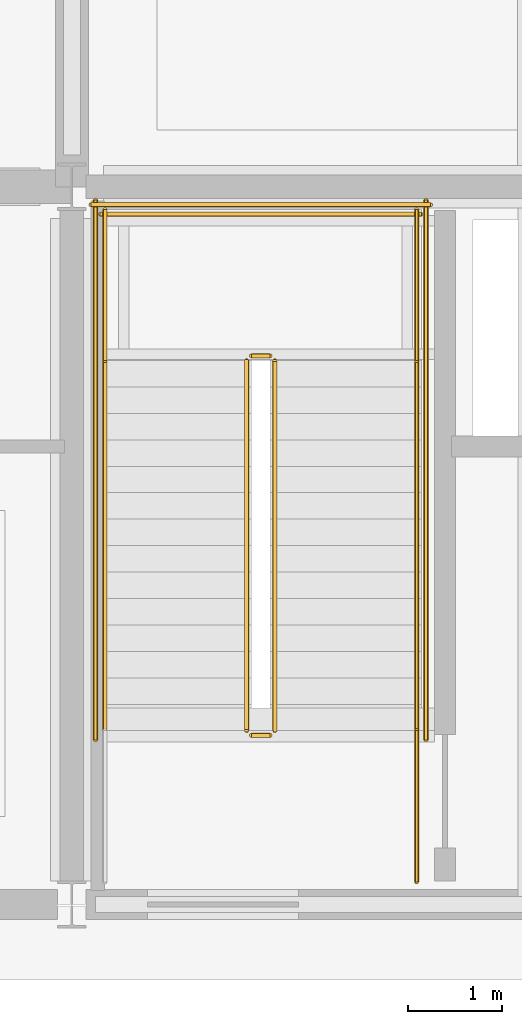
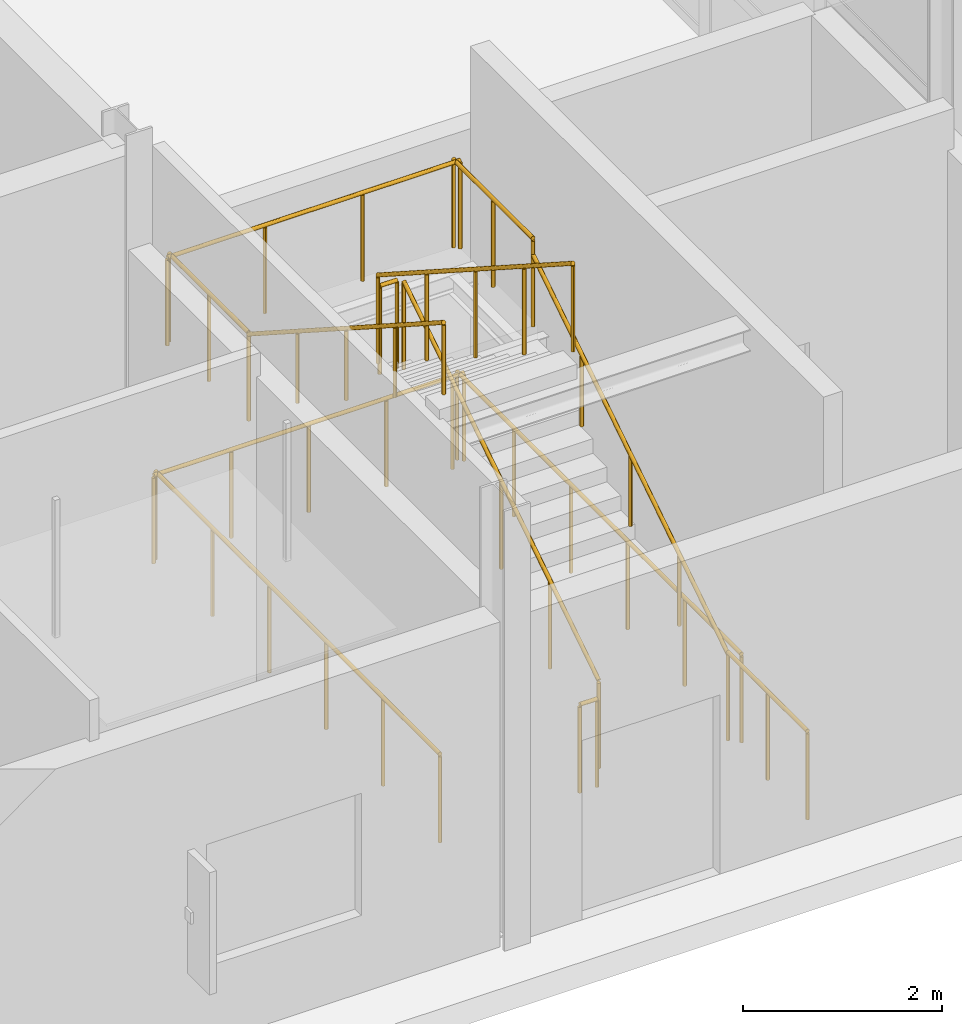
# One storey, part 110 of 126: 13 railings.
"""IFC4 building model written with IfcOpenShell, lengths in metres."""

from ifc_helpers import new_model, si_unit, direction, frame, origin, origin_2d, place, context, subcontext, project, spatial, circle, extrude, material, type_object, element, save


model = new_model("IFC4")

# Units and contexts
model_context = context("Model", 3, precision=1e-05, world=origin(), true_north=direction((0.0, 1.0)))
body_context = subcontext(model_context, "Body", "Model", "MODEL_VIEW")
ifc_project = project(units=[si_unit("LENGTHUNIT", "METRE"), si_unit("AREAUNIT", "SQUARE_METRE"), si_unit("VOLUMEUNIT", "CUBIC_METRE"), si_unit("PLANEANGLEUNIT", "RADIAN"), si_unit("MASSUNIT", "GRAM", prefix="KILO")], contexts=[model_context])

# Site, building, storey
site_placement = place(None, origin())
site = spatial("IfcSite", under=ifc_project, at=site_placement, CompositionType="ELEMENT")
building_placement = place(site_placement, origin())
building = spatial("IfcBuilding", under=site, at=building_placement, Name="Khelvaren Railside Concert Hall", CompositionType="ELEMENT")
storey_placement = place(building_placement, origin())
storey = spatial("IfcBuildingStorey", under=building, at=storey_placement, Name="L00", CompositionType="ELEMENT", Elevation=0.0)

# Railings
ifc_material_1 = material(Name="Painted architectural steel", Category="steel")
railing_type_1 = type_object("IfcRailingType", Name="GRD86", PredefinedType="GUARDRAIL", material=ifc_material_1)
railing_1_placement = place(storey_placement, frame((42.14990234375, 1.840087890625, 0.179931640625)))
element("IfcRailing", 1, at=railing_1_placement, inside=storey, type_object=railing_type_1, Name="L00 ST-02 stair guard 1", PredefinedType="GUARDRAIL", context=body_context, shape_type="SweptSolid", body=[
    extrude(circle(Radius=0.02392578125, at=origin_2d()), frame((0.0, 0.0, 1.076171875), z_axis=(0.0, 0.841171666519, 0.540768182723), x_axis=(-1.0, 0.0, 0.0)), (0.0, 0.0, 1.0), 4.66015625),
    extrude(circle(Radius=0.02099609375, at=origin_2d()), origin(), (0.0, 0.0, 1.0), 1.052001953125),
    extrude(circle(Radius=0.02099609375, at=origin_2d()), frame((0.0, 0.97998046875, 0.6298828125)), (0.0, 0.0, 1.0), 1.052001953125),
    extrude(circle(Radius=0.02099609375, at=origin_2d()), frame((0.0, 1.9599609375, 1.260009765625)), (0.0, 0.0, 1.0), 1.052001953125),
    extrude(circle(Radius=0.02099609375, at=origin_2d()), frame((0.0, 2.93994140625, 1.89013671875)), (0.0, 0.0, 1.0), 1.052001953125),
    extrude(circle(Radius=0.02099609375, at=origin_2d()), frame((0.0, 3.919921875, 2.52001953125)), (0.0, 0.0, 1.0), 1.052001953125),
])
railing_2_placement = place(storey_placement, frame((42.10009765625, 5.81005859375, 2.699951171875)))
element("IfcRailing", 2, at=railing_2_placement, inside=storey, type_object=railing_type_1, Name="L00 ST-02 stair guard 2", PredefinedType="GUARDRAIL", context=body_context, shape_type="SweptSolid", body=[
    extrude(circle(Radius=0.02392578125, at=origin_2d()), frame((0.0, 0.0, 1.076171875), z_axis=(-1.0, 0.0, 0.0), x_axis=(0.0, -1.0, 0.0)), (0.0, 0.0, 1.0), 0.2001953125),
    extrude(circle(Radius=0.02099609375, at=origin_2d()), origin(), (0.0, 0.0, 1.0), 1.052001953125),
    extrude(circle(Radius=0.02099609375, at=origin_2d()), frame((-0.2001953125, 0.0, 0.0)), (0.0, 0.0, 1.0), 1.052001953125),
])
for number, where, name in (
    (3, (43.64990234375, 5.760009765625, 2.699951171875), "L00 ST-02 stair guard 3"),
    (4, (40.35009765625, 5.760009765625, 2.699951171875), "L00 ST-02 stair guard 4"),
):
    element("IfcRailing", number, at=place(storey_placement, frame(where)), inside=storey, type_object=railing_type_1, Name=name, PredefinedType="GUARDRAIL", context=body_context, shape_type="SweptSolid", body=[
        extrude(circle(Radius=0.02392578125, at=origin_2d()), frame((0.0, 0.0, 1.076171875), z_axis=(0.0, 1.0, 0.0), x_axis=(-1.0, 0.0, 0.0)), (0.0, 0.0, 1.0), 1.60009765625),
        extrude(circle(Radius=0.02099609375, at=origin_2d()), origin(), (0.0, 0.0, 1.0), 1.052001953125),
        extrude(circle(Radius=0.02099609375, at=origin_2d()), frame((0.0, 0.800048828125, 0.0)), (0.0, 0.0, 1.0), 1.052001953125),
        extrude(circle(Radius=0.02099609375, at=origin_2d()), frame((0.0, 1.60009765625, 0.0)), (0.0, 0.0, 1.0), 1.052001953125),
    ])
railing_3_placement = place(storey_placement, frame((43.699951171875, 7.31005859375, 2.699951171875)))
element("IfcRailing", 5, at=railing_3_placement, inside=storey, type_object=railing_type_1, Name="L00 ST-02 stair guard 5", PredefinedType="GUARDRAIL", context=body_context, shape_type="SweptSolid", body=[
    extrude(circle(Radius=0.02392578125, at=origin_2d()), frame((0.0, 0.0, 1.076171875), z_axis=(-1.0, 0.0, 0.0), x_axis=(0.0, -1.0, 0.0)), (0.0, 0.0, 1.0), 3.39990234375),
    extrude(circle(Radius=0.02099609375, at=origin_2d()), origin(), (0.0, 0.0, 1.0), 1.052001953125),
    extrude(circle(Radius=0.02099609375, at=origin_2d()), frame((-1.13330078125, 0.0, 0.0)), (0.0, 0.0, 1.0), 1.052001953125),
    extrude(circle(Radius=0.02099609375, at=origin_2d()), frame((-2.2666015625, 0.0, 0.0)), (0.0, 0.0, 1.0), 1.052001953125),
    extrude(circle(Radius=0.02099609375, at=origin_2d()), frame((-3.39990234375, 0.0, 0.0)), (0.0, 0.0, 1.0), 1.052001953125),
])
railing_4_placement = place(storey_placement, frame((41.85009765625, 5.760009765625, 2.8798828125)))
element("IfcRailing", 6, at=railing_4_placement, inside=storey, type_object=railing_type_1, Name="L00 ST-02 stair guard 6", PredefinedType="GUARDRAIL", context=body_context, shape_type="SweptSolid", body=[
    extrude(circle(Radius=0.02392578125, at=origin_2d()), frame((0.0, 0.0, 1.076171875), z_axis=(0.0, -0.841171666519, 0.540768182723), x_axis=(1.0, 0.0, 0.0)), (0.0, 0.0, 1.0), 4.66015625),
    extrude(circle(Radius=0.02099609375, at=origin_2d()), origin(), (0.0, 0.0, 1.0), 1.052001953125),
    extrude(circle(Radius=0.02099609375, at=origin_2d()), frame((0.0, -0.97998046875, 0.6298828125)), (0.0, 0.0, 1.0), 1.052001953125),
    extrude(circle(Radius=0.02099609375, at=origin_2d()), frame((0.0, -1.9599609375, 1.260009765625)), (0.0, 0.0, 1.0), 1.052001953125),
    extrude(circle(Radius=0.02099609375, at=origin_2d()), frame((0.0, -2.93994140625, 1.89013671875)), (0.0, 0.0, 1.0), 1.052001953125),
    extrude(circle(Radius=0.02099609375, at=origin_2d()), frame((0.0, -3.919921875, 2.52001953125)), (0.0, 0.0, 1.0), 1.052001953125),
])
railing_5_placement = place(storey_placement, frame((42.10009765625, 1.7900390625, 0.0)))
element("IfcRailing", 7, at=railing_5_placement, inside=storey, type_object=railing_type_1, Name="L00 ST-02 stair guard 7", PredefinedType="GUARDRAIL", context=body_context, shape_type="SweptSolid", body=[
    extrude(circle(Radius=0.02392578125, at=origin_2d()), frame((0.0, 0.0, 1.076171875), z_axis=(-1.0, 0.0, 0.0), x_axis=(0.0, -1.0, 0.0)), (0.0, 0.0, 1.0), 0.2001953125),
    extrude(circle(Radius=0.02099609375, at=origin_2d()), origin(), (0.0, 0.0, 1.0), 1.052001953125),
    extrude(circle(Radius=0.02099609375, at=origin_2d()), frame((-0.2001953125, 0.0, 0.0)), (0.0, 0.0, 1.0), 1.052001953125),
])
railing_6_placement = place(storey_placement, frame((43.64990234375, 0.239990234375, 0.0)))
element("IfcRailing", 8, at=railing_6_placement, inside=storey, type_object=railing_type_1, Name="L00 ST-02 stair guard 8", PredefinedType="GUARDRAIL", context=body_context, shape_type="SweptSolid", body=[
    extrude(circle(Radius=0.02392578125, at=origin_2d()), frame((0.0, 0.0, 1.076171875), z_axis=(0.0, 1.0, 0.0), x_axis=(-1.0, 0.0, 0.0)), (0.0, 0.0, 1.0), 1.60009765625),
    extrude(circle(Radius=0.02099609375, at=origin_2d()), origin(), (0.0, 0.0, 1.0), 1.052001953125),
    extrude(circle(Radius=0.02099609375, at=origin_2d()), frame((0.0, 0.800048828125, 0.0)), (0.0, 0.0, 1.0), 1.052001953125),
    extrude(circle(Radius=0.02099609375, at=origin_2d()), frame((0.0, 1.60009765625, 0.0)), (0.0, 0.0, 1.0), 1.052001953125),
])
for number, where, name in (
    (9, (43.75, 1.739990234375, 0.0), "L00 ST-02 stair guard 10"),
    (10, (40.25, 1.739990234375, 0.0), "L00 ST-02 stair guard 11"),
):
    element("IfcRailing", number, at=place(storey_placement, frame(where)), inside=storey, type_object=railing_type_1, Name=name, PredefinedType="GUARDRAIL", context=body_context, shape_type="SweptSolid", body=[
        extrude(circle(Radius=0.02392578125, at=origin_2d()), frame((0.0, 0.0, 1.076171875), z_axis=(0.0, 1.0, 0.0), x_axis=(-1.0, 0.0, 0.0)), (0.0, 0.0, 1.0), 5.719970703125),
        extrude(circle(Radius=0.02099609375, at=origin_2d()), origin(), (0.0, 0.0, 1.0), 1.052001953125),
        extrude(circle(Radius=0.02099609375, at=origin_2d()), frame((0.0, 1.14404296875, 0.0)), (0.0, 0.0, 1.0), 1.052001953125),
        extrude(circle(Radius=0.02099609375, at=origin_2d()), frame((0.0, 2.2880859375, 0.0)), (0.0, 0.0, 1.0), 1.052001953125),
        extrude(circle(Radius=0.02099609375, at=origin_2d()), frame((0.0, 3.431884765625, 0.0)), (0.0, 0.0, 1.0), 1.052001953125),
        extrude(circle(Radius=0.02099609375, at=origin_2d()), frame((0.0, 4.575927734375, 0.0)), (0.0, 0.0, 1.0), 1.052001953125),
        extrude(circle(Radius=0.02099609375, at=origin_2d()), frame((0.0, 5.719970703125, 0.0)), (0.0, 0.0, 1.0), 1.052001953125),
    ])
railing_7_placement = place(storey_placement, frame((43.800048828125, 7.409912109375, 0.0)))
element("IfcRailing", 11, at=railing_7_placement, inside=storey, type_object=railing_type_1, Name="L00 ST-02 stair guard 12", PredefinedType="GUARDRAIL", context=body_context, shape_type="SweptSolid", body=[
    extrude(circle(Radius=0.02392578125, at=origin_2d()), frame((0.0, 0.0, 1.076171875), z_axis=(-1.0, 0.0, 0.0), x_axis=(0.0, -1.0, 0.0)), (0.0, 0.0, 1.0), 3.60009765625),
    extrude(circle(Radius=0.02099609375, at=origin_2d()), origin(), (0.0, 0.0, 1.0), 1.052001953125),
    extrude(circle(Radius=0.02099609375, at=origin_2d()), frame((-0.89990234375, 0.0, 0.0)), (0.0, 0.0, 1.0), 1.052001953125),
    extrude(circle(Radius=0.02099609375, at=origin_2d()), frame((-1.800048828125, 0.0, 0.0)), (0.0, 0.0, 1.0), 1.052001953125),
    extrude(circle(Radius=0.02099609375, at=origin_2d()), frame((-2.7001953125, 0.0, 0.0)), (0.0, 0.0, 1.0), 1.052001953125),
    extrude(circle(Radius=0.02099609375, at=origin_2d()), frame((-3.60009765625, 0.0, 0.0)), (0.0, 0.0, 1.0), 1.052001953125),
])
ifc_material_2 = material(Name="Brushed stainless steel Grade 316", Category="steel")
railing_type_2 = type_object("IfcRailingType", Name="HRL59", PredefinedType="HANDRAIL", material=ifc_material_2)
railing_8_placement = place(storey_placement, frame((43.64990234375, 1.840087890625, 0.179931640625)))
element("IfcRailing", 12, at=railing_8_placement, inside=storey, type_object=railing_type_2, Name="L00 ST-02 stair handrail 1", PredefinedType="HANDRAIL", context=body_context, shape_type="SweptSolid", body=[
    extrude(circle(Radius=0.02392578125, at=origin_2d()), frame((0.0, 0.0, 0.8759765625), z_axis=(0.0, 0.841171666519, 0.540768182723), x_axis=(-1.0, 0.0, 0.0)), (0.0, 0.0, 1.0), 4.66015625),
    extrude(circle(Radius=0.02099609375, at=origin_2d()), origin(), (0.0, 0.0, 1.0), 0.851806640625),
    extrude(circle(Radius=0.02099609375, at=origin_2d()), frame((0.0, 0.97998046875, 0.6298828125)), (0.0, 0.0, 1.0), 0.851806640625),
    extrude(circle(Radius=0.02099609375, at=origin_2d()), frame((0.0, 1.9599609375, 1.260009765625)), (0.0, 0.0, 1.0), 0.851806640625),
    extrude(circle(Radius=0.02099609375, at=origin_2d()), frame((0.0, 2.93994140625, 1.89013671875)), (0.0, 0.0, 1.0), 0.851806640625),
    extrude(circle(Radius=0.02099609375, at=origin_2d()), frame((0.0, 3.919921875, 2.52001953125)), (0.0, 0.0, 1.0), 0.851806640625),
])
railing_9_placement = place(storey_placement, frame((40.35009765625, 5.760009765625, 2.8798828125)))
element("IfcRailing", 13, at=railing_9_placement, inside=storey, type_object=railing_type_2, Name="L00 ST-02 stair handrail 2", PredefinedType="HANDRAIL", context=body_context, shape_type="SweptSolid", body=[
    extrude(circle(Radius=0.02392578125, at=origin_2d()), frame((0.0, 0.0, 0.8759765625), z_axis=(0.0, -0.841171666519, 0.540768182723), x_axis=(1.0, 0.0, 0.0)), (0.0, 0.0, 1.0), 4.66015625),
    extrude(circle(Radius=0.02099609375, at=origin_2d()), origin(), (0.0, 0.0, 1.0), 0.851806640625),
    extrude(circle(Radius=0.02099609375, at=origin_2d()), frame((0.0, -0.97998046875, 0.6298828125)), (0.0, 0.0, 1.0), 0.851806640625),
    extrude(circle(Radius=0.02099609375, at=origin_2d()), frame((0.0, -1.9599609375, 1.260009765625)), (0.0, 0.0, 1.0), 0.851806640625),
    extrude(circle(Radius=0.02099609375, at=origin_2d()), frame((0.0, -2.93994140625, 1.89013671875)), (0.0, 0.0, 1.0), 0.851806640625),
    extrude(circle(Radius=0.02099609375, at=origin_2d()), frame((0.0, -3.919921875, 2.52001953125)), (0.0, 0.0, 1.0), 0.851806640625),
])

save(model, "model.ifc")
